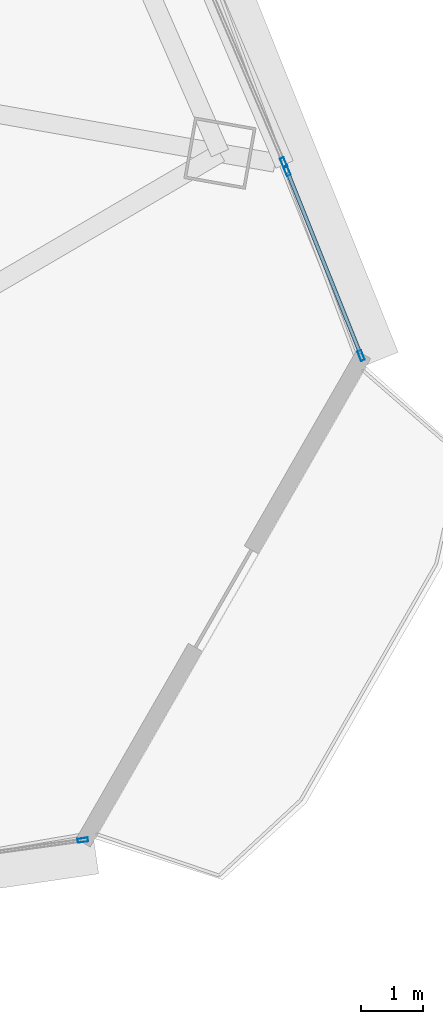
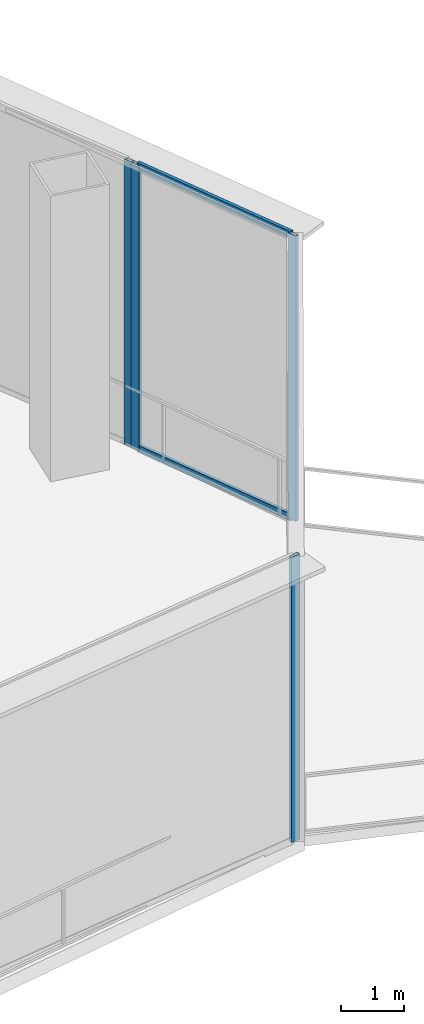
# One storey, part 21 of 36: 6 members, 3 elements without a shape of their own.
"""IFC4 building model written with IfcOpenShell, lengths in metres."""

from ifc_helpers import new_model, si_unit, direction, frame, origin, origin_2d, place, context, subcontext, project, spatial, hollow_rectangle, extrude, source, transform, mapped, material, layer, layer_set, material_profile, profile_set, type_object, element, aggregate, save


model = new_model("IFC4")

# Units and contexts
model_context = context("Model", 3, precision=1e-05, world=origin(), true_north=direction((0.0, 1.0)))
body_context = subcontext(model_context, "Body", "Model", "MODEL_VIEW")
ifc_project = project(units=[si_unit("LENGTHUNIT", "METRE"), si_unit("AREAUNIT", "SQUARE_METRE"), si_unit("VOLUMEUNIT", "CUBIC_METRE"), si_unit("PLANEANGLEUNIT", "RADIAN"), si_unit("MASSUNIT", "GRAM", prefix="KILO"), si_unit("THERMODYNAMICTEMPERATUREUNIT", "KELVIN"), si_unit("POWERUNIT", "WATT")], contexts=[model_context])

# Site, building, storey
site_placement = place(None, origin())
site = spatial("IfcSite", under=ifc_project, at=site_placement, CompositionType="ELEMENT")
building_placement = place(site_placement, origin())
building = spatial("IfcBuilding", under=site, at=building_placement, Name="Yunzhuo Pagoda Commons", CompositionType="ELEMENT")
storey_placement = place(building_placement, frame((0.0, 0.0, 119.179931640625)))
storey = spatial("IfcBuildingStorey", under=building, at=storey_placement, Name="L30", CompositionType="ELEMENT", Elevation=119.179931640625)

# Curtain wall, member
ifc_material = material(Name="Anodized aluminium 6063-T6", Category="aluminium")
ifc_layer = layer(ifc_material, 0.1650390625)
ifc_layer_set = layer_set([ifc_layer], Name="Anodized aluminium 6063-T6")
curtain_wall_type = type_object("IfcCurtainWallType", Name="CW-LOW Low-Zone Ribbon Curtain Wall", PredefinedType="NOTDEFINED", material=ifc_layer_set)
curtain_wall_1_placement = place(storey_placement, origin())
curtain_wall_1 = element("IfcCurtainWall", 1, at=curtain_wall_1_placement, inside=storey, type_object=curtain_wall_type, Name="L30 curtain wall CW-L30-F1B5", PredefinedType="NOTDEFINED")
ifc_material_profile_1 = material_profile(ifc_material, hollow_rectangle(XDim=0.06494140625, YDim=0.1650390625, WallThickness=0.00390625, at=origin_2d()), Name="Anodized aluminium 6063-T6")
ifc_profile_set_1 = profile_set([ifc_material_profile_1], Name="Anodized aluminium 6063-T6")
member_type_1 = type_object("IfcMemberType", Name="CW-LOW-M Mullion RHS 165x65x4", PredefinedType="MULLION", material=ifc_profile_set_1)
shared_shape_1 = source(origin(), body_context, "Body", "SweptSolid", [
    extrude(hollow_rectangle(XDim=0.06494140625, YDim=0.1650390625, WallThickness=0.00390625, at=origin_2d()), origin(), (0.0, 0.0, 1.0), 5.570068359375),
])
member_1_placement = place(storey_placement, frame((84.156982421875, 15.935302734375, 0.0), z_axis=(0.0, 0.0, 1.0), x_axis=(-0.13665715321, 0.990618404067, 0.0)))
member_1 = element("IfcMember", 2, at=member_1_placement, type_object=member_type_1, Name="CW mullion 2", PredefinedType="MULLION", context=body_context, shape_type="MappedRepresentation", body=[
    mapped(shared_shape_1, transform((0.0, 0.0, 0.0), scale=1.0)),
])
aggregate(curtain_wall_1, [member_1])

curtain_wall_2_placement = place(storey_placement, origin())
curtain_wall_2 = element("IfcCurtainWall", 3, at=curtain_wall_2_placement, inside=storey, type_object=curtain_wall_type, Name="L30 curtain wall CW-L30-F2B2", PredefinedType="NOTDEFINED")
member_2_placement = place(storey_placement, frame((87.3740234375, 26.784912109375, 0.0), z_axis=(0.0, 0.0, 1.0), x_axis=(-0.919788328925, -0.392414869716, 0.0)))
member_2 = element("IfcMember", 4, at=member_2_placement, type_object=member_type_1, Name="CW mullion 1", PredefinedType="MULLION", context=body_context, shape_type="MappedRepresentation", body=[
    mapped(shared_shape_1, transform((0.0, 0.0, 0.0), scale=1.0)),
])
aggregate(curtain_wall_2, [member_2])

# Curtain wall, members
curtain_wall_3_placement = place(storey_placement, origin())
curtain_wall_3 = element("IfcCurtainWall", 5, at=curtain_wall_3_placement, inside=storey, type_object=curtain_wall_type, Name="L30 curtain wall CW-L30-F2B1", PredefinedType="NOTDEFINED")
member_3_placement = place(storey_placement, frame((88.613037109375, 23.696044921875, 0.0), z_axis=(0.0, 0.0, 1.0), x_axis=(-0.928190216459, -0.372106062932, 0.0)))
member_3 = element("IfcMember", 6, at=member_3_placement, type_object=member_type_1, Name="CW mullion 1", PredefinedType="MULLION", context=body_context, shape_type="MappedRepresentation", body=[
    mapped(shared_shape_1, transform((0.0, 0.0, 0.0), scale=1.0)),
])
member_4_placement = place(storey_placement, frame((87.4267578125, 26.6552734375, 0.0), z_axis=(0.0, 0.0, 1.0), x_axis=(-0.928190216459, -0.372106062932, 0.0)))
member_4 = element("IfcMember", 7, at=member_4_placement, type_object=member_type_1, Name="CW mullion 2", PredefinedType="MULLION", context=body_context, shape_type="MappedRepresentation", body=[
    mapped(shared_shape_1, transform((0.0, 0.0, 0.0), scale=1.0)),
])
ifc_material_profile_2 = material_profile(ifc_material, hollow_rectangle(XDim=0.06005859375, YDim=0.139892578125, WallThickness=0.00341796875, at=origin_2d()), Name="Anodized aluminium 6063-T6")
ifc_profile_set_2 = profile_set([ifc_material_profile_2], Name="Anodized aluminium 6063-T6")
member_type_2 = type_object("IfcMemberType", Name="CW-LOW-T Transom RHS 140x60x3.5", PredefinedType="USERDEFINED", material=ifc_profile_set_2)
shared_shape_2 = source(origin(), body_context, "Body", "SweptSolid", [
    extrude(hollow_rectangle(XDim=0.06005859375, YDim=0.139892578125, WallThickness=0.00341796875, at=origin_2d()), origin(), (0.0, 0.0, 1.0), 3.123291015625),
])
member_5_placement = place(storey_placement, frame((88.60107421875, 23.726318359375, 0.030029296875), z_axis=(-0.372091409196, 0.928196090922, 0.0), x_axis=(-0.928196090922, -0.372091409196, 0.0)))
member_5 = element("IfcMember", 8, at=member_5_placement, type_object=member_type_2, Name="CW transom 1.1", ObjectType="TRANSOM", PredefinedType="USERDEFINED", context=body_context, shape_type="MappedRepresentation", body=[
    mapped(shared_shape_2, transform((0.0, 0.0, 0.0), scale=1.0)),
])
member_6_placement = place(storey_placement, frame((88.60107421875, 23.726318359375, 5.5400390625), z_axis=(-0.372091409196, 0.928196090922, 0.0), x_axis=(-0.928196090922, -0.372091409196, 0.0)))
member_6 = element("IfcMember", 9, at=member_6_placement, type_object=member_type_2, Name="CW transom 1.2", ObjectType="TRANSOM", PredefinedType="USERDEFINED", context=body_context, shape_type="MappedRepresentation", body=[
    mapped(shared_shape_2, transform((0.0, 0.0, 0.0), scale=1.0)),
])
aggregate(curtain_wall_3, [member_3, member_4, member_5, member_6])

save(model, "model.ifc")
